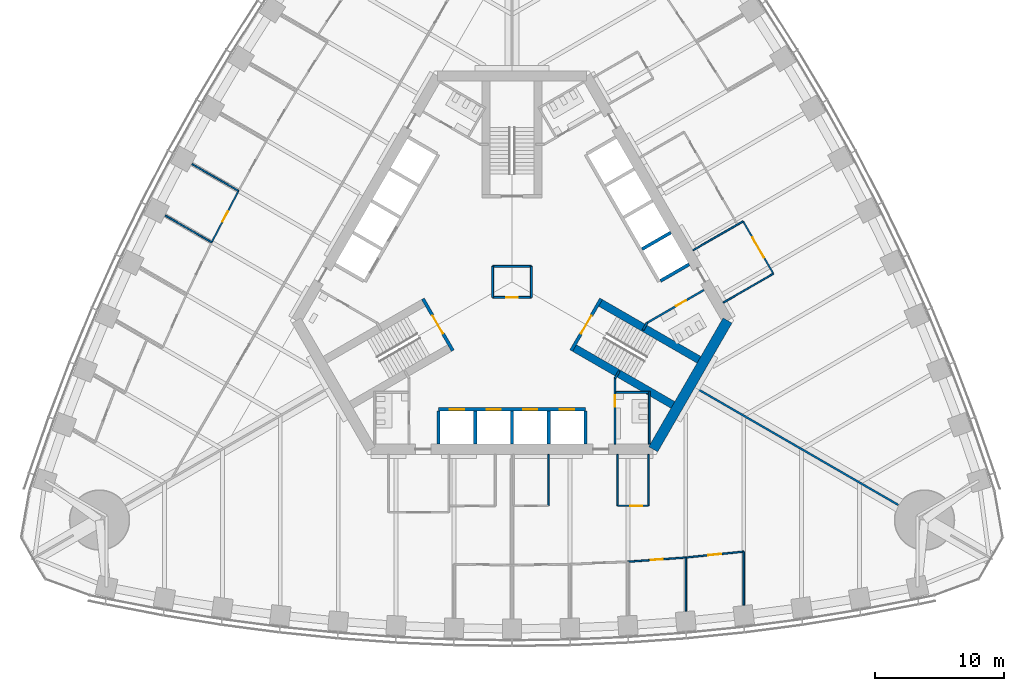
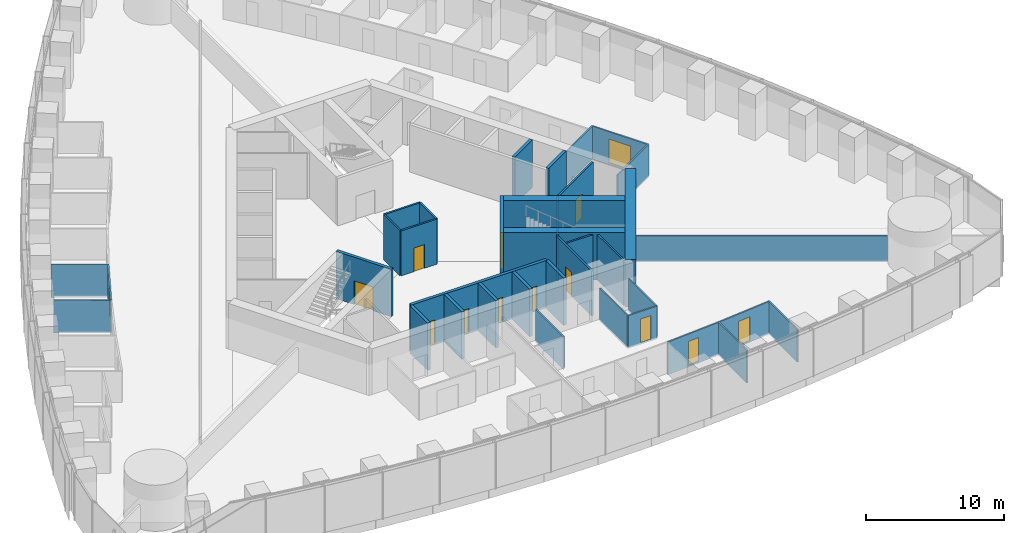
# One storey, part 11 of 18: 38 walls, 14 doors, 14 openings.
"""IFC4 building model written with IfcOpenShell, lengths in metres."""

from ifc_helpers import new_model, si_unit, direction, frame, frame_2d, origin, place, context, subcontext, project, spatial, rectangle, extrude, material, layer, layer_set, type_object, element, fill, save


model = new_model("IFC4")

# Units and contexts
model_context = context("Model", 3, precision=1e-05, world=origin(), true_north=direction((0.0, 1.0)))
body_context = subcontext(model_context, "Body", "Model", "MODEL_VIEW")
ifc_project = project(units=[si_unit("LENGTHUNIT", "METRE"), si_unit("AREAUNIT", "SQUARE_METRE"), si_unit("VOLUMEUNIT", "CUBIC_METRE"), si_unit("PLANEANGLEUNIT", "RADIAN"), si_unit("MASSUNIT", "GRAM", prefix="KILO")], contexts=[model_context])

# Site, building, storey
site_placement = place(None, origin())
site = spatial("IfcSite", under=ifc_project, at=site_placement, CompositionType="ELEMENT")
building_placement = place(site_placement, origin())
building = spatial("IfcBuilding", under=site, at=building_placement, Name="Trefoil Bronze Tower", CompositionType="ELEMENT")
storey_placement = place(building_placement, frame((0.0, 0.0, 24.89990234375)))
storey = spatial("IfcBuildingStorey", under=building, at=storey_placement, Name="L05", CompositionType="ELEMENT", Elevation=24.89990234375)

# Wall
ifc_material_1 = material(Name="Concrete B80", Category="concrete")
ifc_layer_1 = layer(ifc_material_1, 0.800048828125)
ifc_layer_set_1 = layer_set([ifc_layer_1], Name="Core wall 800")
wall_type_1 = type_object("IfcWallType", Name="Core wall 800", PredefinedType="SHEAR", material=ifc_layer_set_1)
wall_1_placement = place(storey_placement, frame((10.9697265625, -13.0, 0.0), z_axis=(0.0, 0.0, 1.0), x_axis=(0.499995765644, 0.866027848477, 0.0)))
element("IfcWall", 1, at=wall_1_placement, inside=storey, type_object=wall_type_1, Name="Core short wall 1 L05", PredefinedType="SHEAR", context=body_context, shape_type="SweptSolid", body=[
    extrude(rectangle(XDim=11.546875, YDim=0.800048828125, at=frame_2d((5.7734375, 0.0))), origin(), (0.0, 0.0, 1.0), 4.2001953125),
])

# Wall, opening, door
ifc_material_2 = material(Name="Glazed partition", Category="glass")
ifc_layer_2 = layer(ifc_material_2, 0.1201171875)
ifc_layer_set_2 = layer_set([ifc_layer_2], Name="Glazed partition 120")
wall_type_2 = type_object("IfcWallType", Name="Glazed partition 120", PredefinedType="PARTITIONING", material=ifc_layer_set_2)
wall_2_placement = place(storey_placement, frame((8.199951171875, -17.39990234375, 0.0), z_axis=(0.0, 0.0, 1.0), x_axis=(1.0, 0.0, 0.0)))
wall_2 = element("IfcWall", 2, at=wall_2_placement, inside=storey, type_object=wall_type_2, Name="Partition F1 L05", PredefinedType="PARTITIONING", context=body_context, shape_type="SweptSolid", body=[
    extrude(rectangle(XDim=2.400146484375, YDim=0.1201171875, at=frame_2d((1.2001953125, 0.0))), origin(), (0.0, 0.0, 1.0), 2.900146484375),
])
opening_1_placement = place(wall_2_placement, frame((1.0, 0.0, 0.14990234375)))
opening_1 = element("IfcOpeningElement", 3, at=opening_1_placement, cuts=wall_2, Name="Opening D8", PredefinedType="OPENING", context=body_context, shape_type="SweptSolid", body=[
    extrude(rectangle(XDim=0.89990234375, YDim=2.10009765625, at=frame_2d((0.449951171875, 1.050048828125))), frame((0.0, 0.070068359375, 0.0), z_axis=(0.0, -1.0, 0.0), x_axis=(1.0, 0.0, 0.0)), (0.0, 0.0, 1.0), 0.14013671875),
])
ifc_material_3 = material(Name="Timber door", Category="wood")
door_type_1 = type_object("IfcDoorType", Name="Office door 900", OperationType="SINGLE_SWING_LEFT", PredefinedType="DOOR", material=ifc_material_3)
door_1_placement = place(opening_1_placement, origin())
door_1 = element("IfcDoor", 4, at=door_1_placement, inside=storey, type_object=door_type_1, Name="Comms room door F1 L05", OperationType="SINGLE_SWING_RIGHT", OverallHeight=2.10009765625, OverallWidth=0.89990234375, PredefinedType="DOOR", context=body_context, shape_type="SweptSolid", body=[
    extrude(rectangle(XDim=0.89990234375, YDim=2.10009765625, at=frame_2d((0.449951171875, 1.050048828125))), frame((0.0, 0.02490234375, 0.0), z_axis=(0.0, -1.0, 0.0), x_axis=(1.0, 0.0, 0.0)), (0.0, 0.0, 1.0), 0.050048828125),
])
fill(opening_1, door_1)

# Walls
for number, where, z_axis, x_axis, name in (
    (5, (10.60009765625, -13.39990234375, 0.0), (0.0, 0.0, 1.0), (0.0, -1.0, 0.0), "Partition F1 L05"),
    (6, (2.824951171875, -13.39990234375, 0.0), (0.0, 0.0, 1.0), (0.0, -1.0, 0.0), "Partition F1 L05"),
    (7, (8.199951171875, -13.39990234375, 0.0), (0.0, 0.0, 1.0), (0.0, -1.0, 0.0), "Partition F1 L05"),
):
    element("IfcWall", number, at=place(storey_placement, frame(where, z_axis=z_axis, x_axis=x_axis)), inside=storey, type_object=wall_type_2, Name=name, PredefinedType="PARTITIONING", context=body_context, shape_type="SweptSolid", body=[
        extrude(rectangle(XDim=4.0, YDim=0.1201171875, at=frame_2d((2.0, 0.0))), origin(), (0.0, 0.0, 1.0), 2.900146484375),
    ])

# Wall, opening, door
wall_3_placement = place(storey_placement, frame((13.5, -21.409912109375, 0.0), z_axis=(0.0, 0.0, 1.0), x_axis=(0.994833141332, 0.101523499286, 0.0)))
wall_3 = element("IfcWall", 8, at=wall_3_placement, inside=storey, type_object=wall_type_2, Name="Partition F1 L05", PredefinedType="PARTITIONING", context=body_context, shape_type="SweptSolid", body=[
    extrude(rectangle(XDim=4.5234375, YDim=0.1201171875, at=frame_2d((2.26171875, 0.0))), origin(), (0.0, 0.0, 1.0), 2.900146484375),
])
opening_2_placement = place(wall_3_placement, frame((1.75, 0.0, 0.14990234375)))
opening_2 = element("IfcOpeningElement", 9, at=opening_2_placement, cuts=wall_3, Name="Opening D9", PredefinedType="OPENING", context=body_context, shape_type="SweptSolid", body=[
    extrude(rectangle(XDim=1.0, YDim=2.10009765625, at=frame_2d((0.5, 1.050048828125))), frame((0.0, 0.070068359375, 0.0), z_axis=(0.0, -1.0, 0.0), x_axis=(1.0, 0.0, 0.0)), (0.0, 0.0, 1.0), 0.14013671875),
])
ifc_material_4 = material(Name="Glazed timber door", Category="wood")
door_type_2 = type_object("IfcDoorType", Name="Meeting room door 1000", OperationType="SINGLE_SWING_LEFT", PredefinedType="DOOR", material=ifc_material_4)
door_2_placement = place(opening_2_placement, frame((1.0, 0.0, 0.0), z_axis=(0.0, 0.0, 1.0), x_axis=(-1.0, 0.0, 0.0)))
door_2 = element("IfcDoor", 10, at=door_2_placement, inside=storey, type_object=door_type_2, Name="Meeting room door F1 L05", OperationType="SINGLE_SWING_RIGHT", OverallHeight=2.10009765625, OverallWidth=1.0, PredefinedType="DOOR", context=body_context, shape_type="SweptSolid", body=[
    extrude(rectangle(XDim=1.0, YDim=2.10009765625, at=frame_2d((0.5, 1.050048828125))), frame((0.0, 0.02490234375, 0.0), z_axis=(0.0, -1.0, 0.0), x_axis=(1.0, 0.0, 0.0)), (0.0, 0.0, 1.0), 0.050048828125),
])
fill(opening_2, door_2)

wall_4_placement = place(storey_placement, frame((9.0, -21.7373046875, 0.0), z_axis=(0.0, 0.0, 1.0), x_axis=(0.997363894896, 0.072562119306, 0.0)))
wall_4 = element("IfcWall", 11, at=wall_4_placement, inside=storey, type_object=wall_type_2, Name="Partition F1 L05", PredefinedType="PARTITIONING", context=body_context, shape_type="SweptSolid", body=[
    extrude(rectangle(XDim=4.511962890625, YDim=0.1201171875, at=frame_2d((2.255859375, 0.0))), origin(), (0.0, 0.0, 1.0), 2.900146484375),
])
opening_3_placement = place(wall_4_placement, frame((1.800048828125, 0.0, 0.14990234375)))
opening_3 = element("IfcOpeningElement", 12, at=opening_3_placement, cuts=wall_4, Name="Opening D8", PredefinedType="OPENING", context=body_context, shape_type="SweptSolid", body=[
    extrude(rectangle(XDim=0.89990234375, YDim=2.10009765625, at=frame_2d((0.449951171875, 1.050048828125))), frame((0.0, 0.070068359375, 0.0), z_axis=(0.0, -1.0, 0.0), x_axis=(1.0, 0.0, 0.0)), (0.0, 0.0, 1.0), 0.14013671875),
])
door_3_placement = place(opening_3_placement, frame((0.89990234375, 0.0, 0.0), z_axis=(0.0, 0.0, 1.0), x_axis=(-1.0, 0.0, 0.0)))
door_3 = element("IfcDoor", 13, at=door_3_placement, inside=storey, type_object=door_type_1, Name="Office door F1 L05", OperationType="SINGLE_SWING_RIGHT", OverallHeight=2.10009765625, OverallWidth=0.89990234375, PredefinedType="DOOR", context=body_context, shape_type="SweptSolid", body=[
    extrude(rectangle(XDim=0.89990234375, YDim=2.10009765625, at=frame_2d((0.449951171875, 1.050048828125))), frame((0.0, 0.02490234375, 0.0), z_axis=(0.0, -1.0, 0.0), x_axis=(1.0, 0.0, 0.0)), (0.0, 0.0, 1.0), 0.050048828125),
])
fill(opening_3, door_3)

# Walls
wall_5_placement = place(storey_placement, frame((13.5, -21.409912109375, 0.0), z_axis=(0.0, 0.0, 1.0), x_axis=(0.0, -1.0, 0.0)))
element("IfcWall", 14, at=wall_5_placement, inside=storey, type_object=wall_type_2, Name="Partition F1 L05", PredefinedType="PARTITIONING", context=body_context, shape_type="SweptSolid", body=[
    extrude(rectangle(XDim=4.1640625, YDim=0.1201171875, at=frame_2d((2.08203125, 0.0))), origin(), (0.0, 0.0, 1.0), 2.900146484375),
])
wall_6_placement = place(storey_placement, frame((18.0, -20.95068359375, 0.0), z_axis=(0.0, 0.0, 1.0), x_axis=(0.0, -1.0, 0.0)))
element("IfcWall", 15, at=wall_6_placement, inside=storey, type_object=wall_type_2, Name="Partition F1 L05", PredefinedType="PARTITIONING", context=body_context, shape_type="SweptSolid", body=[
    extrude(rectangle(XDim=4.1591796875, YDim=0.1201171875, at=frame_2d((2.07958984375, 0.0))), origin(), (0.0, 0.0, 1.0), 2.900146484375),
])

# Wall, opening, door
wall_7_placement = place(storey_placement, frame((20.3017578125, 0.63623046875, 0.0), z_axis=(0.0, 0.0, 1.0), x_axis=(-0.499977259774, 0.866038532462, 0.0)))
wall_7 = element("IfcWall", 16, at=wall_7_placement, inside=storey, type_object=wall_type_2, Name="Partition F2 L05", PredefinedType="PARTITIONING", context=body_context, shape_type="SweptSolid", body=[
    extrude(rectangle(XDim=4.699951171875, YDim=0.1201171875, at=frame_2d((2.35009765625, 0.0))), origin(), (0.0, 0.0, 1.0), 2.900146484375),
])
opening_4_placement = place(wall_7_placement, frame((1.449951171875, 0.0, 0.14990234375)))
opening_4 = element("IfcOpeningElement", 17, at=opening_4_placement, cuts=wall_7, Name="Opening D10", PredefinedType="OPENING", context=body_context, shape_type="SweptSolid", body=[
    extrude(rectangle(XDim=1.800048828125, YDim=2.10009765625, at=frame_2d((0.89990234375, 1.050048828125))), frame((0.0, 0.070068359375, 0.0), z_axis=(0.0, -1.0, 0.0), x_axis=(1.0, 0.0, 0.0)), (0.0, 0.0, 1.0), 0.14013671875),
])
ifc_material_5 = material(Name="Timber door", Category="wood")
door_type_3 = type_object("IfcDoorType", Name="Double door 1800", OperationType="DOUBLE_DOOR_SINGLE_SWING", PredefinedType="DOOR", material=ifc_material_5)
door_4_placement = place(opening_4_placement, origin())
door_4 = element("IfcDoor", 18, at=door_4_placement, inside=storey, type_object=door_type_3, Name="Reception door F2 L05", OperationType="DOUBLE_DOOR_SINGLE_SWING", OverallHeight=2.10009765625, OverallWidth=1.800048828125, PredefinedType="DOOR", context=body_context, shape_type="SweptSolid", body=[
    extrude(rectangle(XDim=1.800048828125, YDim=2.10009765625, at=frame_2d((0.89990234375, 1.050048828125))), frame((0.0, 0.02490234375, 0.0), z_axis=(0.0, -1.0, 0.0), x_axis=(1.0, 0.0, 0.0)), (0.0, 0.0, 1.0), 0.050048828125),
])
fill(opening_4, door_4)

# Walls
wall_8_placement = place(storey_placement, frame((14.0546875, 2.45654296875, 0.0), z_axis=(0.0, 0.0, 1.0), x_axis=(0.866031096941, 0.499990139034, 0.0)))
element("IfcWall", 19, at=wall_8_placement, inside=storey, type_object=wall_type_2, Name="Partition F2 L05", PredefinedType="PARTITIONING", context=body_context, shape_type="SweptSolid", body=[
    extrude(rectangle(XDim=4.5, YDim=0.1201171875, at=frame_2d((2.25, 0.0))), origin(), (0.0, 0.0, 1.0), 2.900146484375),
])
wall_9_placement = place(storey_placement, frame((16.40478515625, -1.61376953125, 0.0), z_axis=(0.0, 0.0, 1.0), x_axis=(0.866017533419, 0.500013631625, 0.0)))
element("IfcWall", 20, at=wall_9_placement, inside=storey, type_object=wall_type_2, Name="Partition F2 L05", PredefinedType="PARTITIONING", context=body_context, shape_type="SweptSolid", body=[
    extrude(rectangle(XDim=4.499755859375, YDim=0.1201171875, at=frame_2d((2.25, 0.0))), origin(), (0.0, 0.0, 1.0), 2.900146484375),
])

# Wall, opening, door
wall_10_placement = place(storey_placement, frame((-21.244873046875, 7.069580078125, 0.0), z_axis=(0.0, 0.0, 1.0), x_axis=(-0.461852697957, -0.886956642339, 0.0)))
wall_10 = element("IfcWall", 21, at=wall_10_placement, inside=storey, type_object=wall_type_2, Name="Partition F3 L05", PredefinedType="PARTITIONING", context=body_context, shape_type="SweptSolid", body=[
    extrude(rectangle(XDim=4.50439453125, YDim=0.1201171875, at=frame_2d((2.252197265625, 0.0))), origin(), (0.0, 0.0, 1.0), 2.900146484375),
])
opening_5_placement = place(wall_10_placement, frame((1.800048828125, 0.0, 0.14990234375)))
opening_5 = element("IfcOpeningElement", 22, at=opening_5_placement, cuts=wall_10, Name="Opening D8", PredefinedType="OPENING", context=body_context, shape_type="SweptSolid", body=[
    extrude(rectangle(XDim=0.89990234375, YDim=2.10009765625, at=frame_2d((0.449951171875, 1.050048828125))), frame((0.0, 0.070068359375, 0.0), z_axis=(0.0, -1.0, 0.0), x_axis=(1.0, 0.0, 0.0)), (0.0, 0.0, 1.0), 0.14013671875),
])
door_5_placement = place(opening_5_placement, frame((0.89990234375, 0.0, 0.0), z_axis=(0.0, 0.0, 1.0), x_axis=(-1.0, 0.0, 0.0)))
door_5 = element("IfcDoor", 23, at=door_5_placement, inside=storey, type_object=door_type_1, Name="Office door F3 L05", OperationType="SINGLE_SWING_RIGHT", OverallHeight=2.10009765625, OverallWidth=0.89990234375, PredefinedType="DOOR", context=body_context, shape_type="SweptSolid", body=[
    extrude(rectangle(XDim=0.89990234375, YDim=2.10009765625, at=frame_2d((0.449951171875, 1.050048828125))), frame((0.0, 0.02490234375, 0.0), z_axis=(0.0, -1.0, 0.0), x_axis=(1.0, 0.0, 0.0)), (0.0, 0.0, 1.0), 0.050048828125),
])
fill(opening_5, door_5)

# Walls
wall_11_placement = place(storey_placement, frame((-21.244873046875, 7.069580078125, 0.0), z_axis=(0.0, 0.0, 1.0), x_axis=(-0.866025669538, 0.499999539701, 0.0)))
element("IfcWall", 24, at=wall_11_placement, inside=storey, type_object=wall_type_2, Name="Partition F3 L05", PredefinedType="PARTITIONING", context=body_context, shape_type="SweptSolid", body=[
    extrude(rectangle(XDim=4.16943359375, YDim=0.1201171875, at=frame_2d((2.084716796875, 0.0))), origin(), (0.0, 0.0, 1.0), 2.900146484375),
])
wall_12_placement = place(storey_placement, frame((-23.3251953125, 3.074462890625, 0.0), z_axis=(0.0, 0.0, 1.0), x_axis=(-0.866009971343, 0.50002672882, 0.0)))
element("IfcWall", 25, at=wall_12_placement, inside=storey, type_object=wall_type_2, Name="Partition F3 L05", PredefinedType="PARTITIONING", context=body_context, shape_type="SweptSolid", body=[
    extrude(rectangle(XDim=4.167236328125, YDim=0.1201171875, at=frame_2d((2.08349609375, 0.0))), origin(), (0.0, 0.0, 1.0), 2.900146484375),
])

# Wall, opening, door
ifc_material_6 = material(Name="Gypsum board on steel studs", Category="steel")
ifc_layer_3 = layer(ifc_material_6, 0.14990234375)
ifc_layer_set_3 = layer_set([ifc_layer_3], Name="Partition 150")
wall_type_3 = type_object("IfcWallType", Name="Partition 150", PredefinedType="PARTITIONING", material=ifc_layer_set_3)
wall_13_placement = place(storey_placement, frame((8.0, -7.5, 0.0), z_axis=(0.0, 0.0, 1.0), x_axis=(0.0, -1.0, 0.0)))
wall_13 = element("IfcWall", 26, at=wall_13_placement, inside=storey, type_object=wall_type_3, Name="Passage wall F1+ L05", PredefinedType="PARTITIONING", context=body_context, shape_type="SweptSolid", body=[
    extrude(rectangle(XDim=5.10009765625, YDim=0.14990234375, at=frame_2d((2.550048828125, 0.0))), origin(), (0.0, 0.0, 1.0), 4.0),
])
opening_6_placement = place(wall_13_placement, frame((1.300048828125, 0.0, 0.0)))
opening_6 = element("IfcOpeningElement", 27, at=opening_6_placement, cuts=wall_13, Name="Opening D3", PredefinedType="OPENING", context=body_context, shape_type="SweptSolid", body=[
    extrude(rectangle(XDim=0.89990234375, YDim=2.10009765625, at=frame_2d((0.449951171875, 1.050048828125))), frame((0.0, 0.0849609375, 0.0), z_axis=(0.0, -1.0, 0.0), x_axis=(1.0, 0.0, 0.0)), (0.0, 0.0, 1.0), 0.169921875),
])
ifc_material_7 = material(Name="Timber door", Category="wood")
door_type_4 = type_object("IfcDoorType", Name="WC door 900", OperationType="SINGLE_SWING_LEFT", PredefinedType="DOOR", material=ifc_material_7)
door_6_placement = place(opening_6_placement, origin())
door_6 = element("IfcDoor", 28, at=door_6_placement, inside=storey, type_object=door_type_4, Name="WC (men) door L05", OperationType="SINGLE_SWING_LEFT", OverallHeight=2.10009765625, OverallWidth=0.89990234375, PredefinedType="DOOR", context=body_context, shape_type="SweptSolid", body=[
    extrude(rectangle(XDim=0.89990234375, YDim=2.10009765625, at=frame_2d((0.449951171875, 1.050048828125))), frame((0.0, 0.02490234375, 0.0), z_axis=(0.0, -1.0, 0.0), x_axis=(1.0, 0.0, 0.0)), (0.0, 0.0, 1.0), 0.050048828125),
])
fill(opening_6, door_6)

wall_14_placement = place(storey_placement, frame((10.4951171875, -3.17822265625, 0.0), z_axis=(0.0, 0.0, 1.0), x_axis=(0.86602216432, 0.500005610874, 0.0)))
wall_14 = element("IfcWall", 29, at=wall_14_placement, inside=storey, type_object=wall_type_3, Name="Passage wall F2- L05", PredefinedType="PARTITIONING", context=body_context, shape_type="SweptSolid", body=[
    extrude(rectangle(XDim=5.10009765625, YDim=0.14990234375, at=frame_2d((2.550048828125, 0.0))), origin(), (0.0, 0.0, 1.0), 4.0),
])
opening_7_placement = place(wall_14_placement, frame((2.60009765625, 0.0, 0.0)))
opening_7 = element("IfcOpeningElement", 30, at=opening_7_placement, cuts=wall_14, Name="Opening D3", PredefinedType="OPENING", context=body_context, shape_type="SweptSolid", body=[
    extrude(rectangle(XDim=0.89990234375, YDim=2.10009765625, at=frame_2d((0.449951171875, 1.050048828125))), frame((0.0, 0.0849609375, 0.0), z_axis=(0.0, -1.0, 0.0), x_axis=(1.0, 0.0, 0.0)), (0.0, 0.0, 1.0), 0.169921875),
])
door_7_placement = place(opening_7_placement, frame((0.89990234375, 0.0, 0.0), z_axis=(0.0, 0.0, 1.0), x_axis=(-1.0, 0.0, 0.0)))
door_7 = element("IfcDoor", 31, at=door_7_placement, inside=storey, type_object=door_type_4, Name="WC (women) door L05", OperationType="SINGLE_SWING_LEFT", OverallHeight=2.10009765625, OverallWidth=0.89990234375, PredefinedType="DOOR", context=body_context, shape_type="SweptSolid", body=[
    extrude(rectangle(XDim=0.89990234375, YDim=2.10009765625, at=frame_2d((0.449951171875, 1.050048828125))), frame((0.0, 0.02490234375, 0.0), z_axis=(0.0, -1.0, 0.0), x_axis=(1.0, 0.0, 0.0)), (0.0, 0.0, 1.0), 0.050048828125),
])
fill(opening_7, door_7)

# Walls
for number, where, z_axis, x_axis, name in (
    (32, (8.0, -7.5, 0.0), (0.0, 0.0, 1.0), (0.499842556608, 0.866116284689, 0.0), "WC wall ST1-1 L05"),
    (33, (10.4951171875, -3.17822265625, 0.0), (0.0, 0.0, 1.0), (-0.499842556608, -0.866116284689, 0.0), "WC wall ST1+1 L05"),
):
    element("IfcWall", number, at=place(storey_placement, frame(where, z_axis=z_axis, x_axis=x_axis)), inside=storey, type_object=wall_type_3, Name=name, PredefinedType="PARTITIONING", context=body_context, shape_type="SweptSolid", body=[
        extrude(rectangle(XDim=0.645263671875, YDim=0.14990234375, at=frame_2d((0.32275390625, 0.0))), origin(), (0.0, 0.0, 1.0), 4.0),
    ])
wall_15_placement = place(storey_placement, frame((10.659912109375, -8.5, 0.0), z_axis=(0.0, 0.0, 1.0), x_axis=(0.0, -1.0, 0.0)))
element("IfcWall", 34, at=wall_15_placement, inside=storey, type_object=wall_type_3, Name="WC partition WC (men) L05", PredefinedType="PARTITIONING", context=body_context, shape_type="SweptSolid", body=[
    extrude(rectangle(XDim=4.10009765625, YDim=0.14990234375, at=frame_2d((2.050048828125, 0.0))), origin(), (0.0, 0.0, 1.0), 4.0),
])
wall_16_placement = place(storey_placement, frame((8.074951171875, -8.574951171875, 0.0), z_axis=(0.0, 0.0, 1.0), x_axis=(1.0, 0.0, 0.0)))
element("IfcWall", 35, at=wall_16_placement, inside=storey, type_object=wall_type_3, Name="WC partition WC (men) L05", PredefinedType="PARTITIONING", context=body_context, shape_type="SweptSolid", body=[
    extrude(rectangle(XDim=2.510009765625, YDim=0.14990234375, at=frame_2d((1.2548828125, 0.0))), origin(), (0.0, 0.0, 1.0), 4.0),
])
ifc_material_8 = material(Name="Gypsum board on steel studs", Category="steel")
ifc_layer_4 = layer(ifc_material_8, 0.14990234375)
ifc_layer_set_4 = layer_set([ifc_layer_4], Name="Party wall 150")
wall_type_4 = type_object("IfcWallType", Name="Party wall 150", PredefinedType="PARTITIONING", material=ifc_layer_set_4)
wall_17_placement = place(storey_placement, frame((14.202880859375, -8.199951171875, 0.0), z_axis=(0.0, 0.0, 1.0), x_axis=(0.866024965723, -0.500000758745, 0.0)))
element("IfcWall", 36, at=wall_17_placement, inside=storey, type_object=wall_type_4, Name="Party wall K1 L05", PredefinedType="PARTITIONING", context=body_context, shape_type="SweptSolid", body=[
    extrude(rectangle(XDim=18.25, YDim=0.14990234375, at=frame_2d((9.125, 0.0))), origin(), (0.0, 0.0, 1.0), 2.300048828125),
])

# Wall, opening, door
ifc_material_9 = material(Name="Gypsum board on steel studs", Category="steel")
ifc_layer_5 = layer(ifc_material_9, 0.14990234375)
ifc_layer_set_5 = layer_set([ifc_layer_5], Name="Riser wall 150")
wall_type_5 = type_object("IfcWallType", Name="Riser wall 150", PredefinedType="PARTITIONING", material=ifc_layer_set_5)
wall_18_placement = place(storey_placement, frame((-1.5, -1.199951171875, 0.0), z_axis=(0.0, 0.0, 1.0), x_axis=(1.0, 0.0, 0.0)))
wall_18 = element("IfcWall", 37, at=wall_18_placement, inside=storey, type_object=wall_type_5, Name="Riser wall L05", PredefinedType="PARTITIONING", context=body_context, shape_type="SweptSolid", body=[
    extrude(rectangle(XDim=3.0, YDim=0.14990234375, at=frame_2d((1.5, 0.0))), origin(), (0.0, 0.0, 1.0), 4.0),
])
opening_8_placement = place(wall_18_placement, frame((1.050048828125, 0.0, 0.0)))
opening_8 = element("IfcOpeningElement", 38, at=opening_8_placement, cuts=wall_18, Name="Opening D4", PredefinedType="OPENING", context=body_context, shape_type="SweptSolid", body=[
    extrude(rectangle(XDim=0.89990234375, YDim=2.10009765625, at=frame_2d((0.449951171875, 1.050048828125))), frame((0.0, 0.0849609375, 0.0), z_axis=(0.0, -1.0, 0.0), x_axis=(1.0, 0.0, 0.0)), (0.0, 0.0, 1.0), 0.169921875),
])
ifc_material_10 = material(Name="Steel door", Category="steel")
door_type_5 = type_object("IfcDoorType", Name="Riser door 900", OperationType="SINGLE_SWING_LEFT", PredefinedType="DOOR", material=ifc_material_10)
door_8_placement = place(opening_8_placement, frame((0.89990234375, 0.0, 0.0), z_axis=(0.0, 0.0, 1.0), x_axis=(-1.0, 0.0, 0.0)))
door_8 = element("IfcDoor", 39, at=door_8_placement, inside=storey, type_object=door_type_5, Name="Riser door L05", OperationType="SINGLE_SWING_LEFT", OverallHeight=2.10009765625, OverallWidth=0.89990234375, PredefinedType="DOOR", context=body_context, shape_type="SweptSolid", body=[
    extrude(rectangle(XDim=0.89990234375, YDim=2.10009765625, at=frame_2d((0.449951171875, 1.050048828125))), frame((0.0, 0.02490234375, 0.0), z_axis=(0.0, -1.0, 0.0), x_axis=(1.0, 0.0, 0.0)), (0.0, 0.0, 1.0), 0.050048828125),
])
fill(opening_8, door_8)

# Walls
wall_19_placement = place(storey_placement, frame((1.5, -1.199951171875, 0.0), z_axis=(0.0, 0.0, 1.0), x_axis=(0.0, 1.0, 0.0)))
element("IfcWall", 40, at=wall_19_placement, inside=storey, type_object=wall_type_5, Name="Riser wall L05", PredefinedType="PARTITIONING", context=body_context, shape_type="SweptSolid", body=[
    extrude(rectangle(XDim=2.39990234375, YDim=0.14990234375, at=frame_2d((1.199951171875, 0.0))), origin(), (0.0, 0.0, 1.0), 4.0),
])
wall_20_placement = place(storey_placement, frame((1.5, 1.199951171875, 0.0), z_axis=(0.0, 0.0, 1.0), x_axis=(-1.0, 0.0, 0.0)))
element("IfcWall", 41, at=wall_20_placement, inside=storey, type_object=wall_type_5, Name="Riser wall L05", PredefinedType="PARTITIONING", context=body_context, shape_type="SweptSolid", body=[
    extrude(rectangle(XDim=3.0, YDim=0.14990234375, at=frame_2d((1.5, 0.0))), origin(), (0.0, 0.0, 1.0), 4.0),
])
wall_21_placement = place(storey_placement, frame((-1.5, 1.199951171875, 0.0), z_axis=(0.0, 0.0, 1.0), x_axis=(0.0, -1.0, 0.0)))
element("IfcWall", 42, at=wall_21_placement, inside=storey, type_object=wall_type_5, Name="Riser wall L05", PredefinedType="PARTITIONING", context=body_context, shape_type="SweptSolid", body=[
    extrude(rectangle(XDim=2.39990234375, YDim=0.14990234375, at=frame_2d((1.199951171875, 0.0))), origin(), (0.0, 0.0, 1.0), 4.0),
])

# Wall, openings, doors
ifc_material_11 = material(Name="Concrete B80", Category="concrete")
ifc_layer_6 = layer(ifc_material_11, 0.25)
ifc_layer_set_6 = layer_set([ifc_layer_6], Name="Shaft wall 250")
wall_type_6 = type_object("IfcWallType", Name="Shaft wall 250", PredefinedType="SHEAR", material=ifc_layer_set_6)
wall_22_placement = place(storey_placement, frame((-5.699951171875, -9.89990234375, 0.0), z_axis=(0.0, 0.0, 1.0), x_axis=(1.0, 0.0, 0.0)))
wall_22 = element("IfcWall", 43, at=wall_22_placement, inside=storey, type_object=wall_type_6, Name="Lift shaft front wall A L05", PredefinedType="SHEAR", context=body_context, shape_type="SweptSolid", body=[
    extrude(rectangle(XDim=11.39990234375, YDim=0.25, at=frame_2d((5.699951171875, 0.0))), origin(), (0.0, 0.0, 1.0), 4.2001953125),
])
opening_9_placement = place(wall_22_placement, frame((0.875, 0.0, 0.0)))
opening_9 = element("IfcOpeningElement", 44, at=opening_9_placement, cuts=wall_22, Name="Opening LD-P11", PredefinedType="OPENING", context=body_context, shape_type="SweptSolid", body=[
    extrude(rectangle(XDim=1.10009765625, YDim=2.199951171875, at=frame_2d((0.550048828125, 1.10009765625))), frame((0.0, 0.135009765625, 0.0), z_axis=(0.0, -1.0, 0.0), x_axis=(1.0, 0.0, 0.0)), (0.0, 0.0, 1.0), 0.27001953125),
])
opening_10_placement = place(wall_22_placement, frame((3.72509765625, 0.0, 0.0)))
opening_10 = element("IfcOpeningElement", 45, at=opening_10_placement, cuts=wall_22, Name="Opening LD-P12", PredefinedType="OPENING", context=body_context, shape_type="SweptSolid", body=[
    extrude(rectangle(XDim=1.10009765625, YDim=2.199951171875, at=frame_2d((0.550048828125, 1.10009765625))), frame((0.0, 0.135009765625, 0.0), z_axis=(0.0, -1.0, 0.0), x_axis=(1.0, 0.0, 0.0)), (0.0, 0.0, 1.0), 0.27001953125),
])
opening_11_placement = place(wall_22_placement, frame((6.574951171875, 0.0, 0.0)))
opening_11 = element("IfcOpeningElement", 46, at=opening_11_placement, cuts=wall_22, Name="Opening LD-P13", PredefinedType="OPENING", context=body_context, shape_type="SweptSolid", body=[
    extrude(rectangle(XDim=1.10009765625, YDim=2.199951171875, at=frame_2d((0.550048828125, 1.10009765625))), frame((0.0, 0.135009765625, 0.0), z_axis=(0.0, -1.0, 0.0), x_axis=(1.0, 0.0, 0.0)), (0.0, 0.0, 1.0), 0.27001953125),
])
opening_12_placement = place(wall_22_placement, frame((9.425048828125, 0.0, 0.0)))
opening_12 = element("IfcOpeningElement", 47, at=opening_12_placement, cuts=wall_22, Name="Opening LD-P14", PredefinedType="OPENING", context=body_context, shape_type="SweptSolid", body=[
    extrude(rectangle(XDim=1.10009765625, YDim=2.199951171875, at=frame_2d((0.550048828125, 1.10009765625))), frame((0.0, 0.135009765625, 0.0), z_axis=(0.0, -1.0, 0.0), x_axis=(1.0, 0.0, 0.0)), (0.0, 0.0, 1.0), 0.27001953125),
])
ifc_material_12 = material(Name="Steel door", Category="steel")
door_type_6 = type_object("IfcDoorType", Name="Lift landing door 1100", OperationType="DOUBLE_DOOR_SLIDING", PredefinedType="DOOR", material=ifc_material_12)
door_9_placement = place(opening_9_placement, origin())
door_9 = element("IfcDoor", 48, at=door_9_placement, inside=storey, type_object=door_type_6, Name="Lift P11 landing door L05", OperationType="DOUBLE_DOOR_SLIDING", OverallHeight=2.199951171875, OverallWidth=1.10009765625, PredefinedType="DOOR", context=body_context, shape_type="SweptSolid", body=[
    extrude(rectangle(XDim=1.10009765625, YDim=2.199951171875, at=frame_2d((0.550048828125, 1.10009765625))), frame((0.0, 0.02490234375, 0.0), z_axis=(0.0, -1.0, 0.0), x_axis=(1.0, 0.0, 0.0)), (0.0, 0.0, 1.0), 0.050048828125),
])
fill(opening_9, door_9)
door_10_placement = place(opening_10_placement, origin())
door_10 = element("IfcDoor", 49, at=door_10_placement, inside=storey, type_object=door_type_6, Name="Lift P12 landing door L05", OperationType="DOUBLE_DOOR_SLIDING", OverallHeight=2.199951171875, OverallWidth=1.10009765625, PredefinedType="DOOR", context=body_context, shape_type="SweptSolid", body=[
    extrude(rectangle(XDim=1.10009765625, YDim=2.199951171875, at=frame_2d((0.550048828125, 1.10009765625))), frame((0.0, 0.02490234375, 0.0), z_axis=(0.0, -1.0, 0.0), x_axis=(1.0, 0.0, 0.0)), (0.0, 0.0, 1.0), 0.050048828125),
])
fill(opening_10, door_10)
door_11_placement = place(opening_11_placement, origin())
door_11 = element("IfcDoor", 50, at=door_11_placement, inside=storey, type_object=door_type_6, Name="Lift P13 landing door L05", OperationType="DOUBLE_DOOR_SLIDING", OverallHeight=2.199951171875, OverallWidth=1.10009765625, PredefinedType="DOOR", context=body_context, shape_type="SweptSolid", body=[
    extrude(rectangle(XDim=1.10009765625, YDim=2.199951171875, at=frame_2d((0.550048828125, 1.10009765625))), frame((0.0, 0.02490234375, 0.0), z_axis=(0.0, -1.0, 0.0), x_axis=(1.0, 0.0, 0.0)), (0.0, 0.0, 1.0), 0.050048828125),
])
fill(opening_11, door_11)
door_12_placement = place(opening_12_placement, origin())
door_12 = element("IfcDoor", 51, at=door_12_placement, inside=storey, type_object=door_type_6, Name="Lift P14 landing door L05", OperationType="DOUBLE_DOOR_SLIDING", OverallHeight=2.199951171875, OverallWidth=1.10009765625, PredefinedType="DOOR", context=body_context, shape_type="SweptSolid", body=[
    extrude(rectangle(XDim=1.10009765625, YDim=2.199951171875, at=frame_2d((0.550048828125, 1.10009765625))), frame((0.0, 0.02490234375, 0.0), z_axis=(0.0, -1.0, 0.0), x_axis=(1.0, 0.0, 0.0)), (0.0, 0.0, 1.0), 0.050048828125),
])
fill(opening_12, door_12)

# Walls
for number, where, z_axis, x_axis, name in (
    (52, (-5.699951171875, -10.02490234375, 0.0), (0.0, 0.0, 1.0), (0.0, -1.0, 0.0), "Lift shaft side wall A0 L05"),
    (53, (-2.85009765625, -10.02490234375, 0.0), (0.0, 0.0, 1.0), (0.0, -1.0, 0.0), "Lift shaft side wall A1 L05"),
    (54, (0.0, -10.02490234375, 0.0), (0.0, 0.0, 1.0), (0.0, -1.0, 0.0), "Lift shaft side wall A2 L05"),
    (55, (2.85009765625, -10.02490234375, 0.0), (0.0, 0.0, 1.0), (0.0, -1.0, 0.0), "Lift shaft side wall A3 L05"),
    (56, (5.699951171875, -10.02490234375, 0.0), (0.0, 0.0, 1.0), (0.0, -1.0, 0.0), "Lift shaft side wall A4 L05"),
):
    element("IfcWall", number, at=place(storey_placement, frame(where, z_axis=z_axis, x_axis=x_axis)), inside=storey, type_object=wall_type_6, Name=name, PredefinedType="SHEAR", context=body_context, shape_type="SweptSolid", body=[
        extrude(rectangle(XDim=2.5751953125, YDim=0.25, at=frame_2d((1.28759765625, 0.0))), origin(), (0.0, 0.0, 1.0), 4.2001953125),
    ])
for number, where, z_axis, x_axis, name in (
    (57, (11.531982421875, 0.076171875, 0.0), (0.0, 0.0, 1.0), (0.866005588531, 0.500034319456, 0.0), "Lift shaft side wall B0 L05"),
    (58, (10.10693359375, 2.54443359375, 0.0), (0.0, 0.0, 1.0), (0.866046643894, 0.499963209246, 0.0), "Lift shaft side wall B1 L05"),
):
    element("IfcWall", number, at=place(storey_placement, frame(where, z_axis=z_axis, x_axis=x_axis)), inside=storey, type_object=wall_type_6, Name=name, PredefinedType="SHEAR", context=body_context, shape_type="SweptSolid", body=[
        extrude(rectangle(XDim=2.574951171875, YDim=0.25, at=frame_2d((1.28759765625, 0.0))), origin(), (0.0, 0.0, 1.0), 4.2001953125),
    ])

# Wall, opening, door
wall_23_placement = place(storey_placement, frame((4.5966796875, -5.338623046875, 0.0), z_axis=(0.0, 0.0, 1.0), x_axis=(0.499984536904, 0.866034331223, 0.0)))
wall_23 = element("IfcWall", 59, at=wall_23_placement, inside=storey, type_object=wall_type_6, Name="Stair end wall ST1 L05", PredefinedType="SHEAR", context=body_context, shape_type="SweptSolid", body=[
    extrude(rectangle(XDim=4.650146484375, YDim=0.25, at=frame_2d((2.3251953125, 0.0))), origin(), (0.0, 0.0, 1.0), 4.2001953125),
])
opening_13_placement = place(wall_23_placement, frame((1.52490234375, 0.0, 0.0)))
opening_13 = element("IfcOpeningElement", 60, at=opening_13_placement, cuts=wall_23, Name="Opening D1", PredefinedType="OPENING", context=body_context, shape_type="SweptSolid", body=[
    extrude(rectangle(XDim=1.60009765625, YDim=2.10009765625, at=frame_2d((0.800048828125, 1.050048828125))), frame((0.0, 0.135009765625, 0.0), z_axis=(0.0, -1.0, 0.0), x_axis=(1.0, 0.0, 0.0)), (0.0, 0.0, 1.0), 0.27001953125),
])
ifc_material_13 = material(Name="Steel door", Category="steel")
door_type_7 = type_object("IfcDoorType", Name="Stair door 1600", OperationType="DOUBLE_DOOR_SINGLE_SWING", PredefinedType="DOOR", material=ifc_material_13)
door_13_placement = place(opening_13_placement, frame((1.60009765625, 0.0, 0.0), z_axis=(0.0, 0.0, 1.0), x_axis=(-1.0, 0.0, 0.0)))
door_13 = element("IfcDoor", 61, at=door_13_placement, inside=storey, type_object=door_type_7, Name="Stair door ST1 L05", OperationType="DOUBLE_DOOR_SINGLE_SWING", OverallHeight=2.10009765625, OverallWidth=1.60009765625, PredefinedType="DOOR", context=body_context, shape_type="SweptSolid", body=[
    extrude(rectangle(XDim=1.60009765625, YDim=2.10009765625, at=frame_2d((0.800048828125, 1.050048828125))), frame((0.0, 0.02490234375, 0.0), z_axis=(0.0, -1.0, 0.0), x_axis=(1.0, 0.0, 0.0)), (0.0, 0.0, 1.0), 0.050048828125),
])
fill(opening_13, door_13)

wall_24_placement = place(storey_placement, frame((-6.921630859375, -1.3115234375, 0.0), z_axis=(0.0, 0.0, 1.0), x_axis=(0.499984536904, -0.866034331223, 0.0)))
wall_24 = element("IfcWall", 62, at=wall_24_placement, inside=storey, type_object=wall_type_6, Name="Stair end wall ST3 L05", PredefinedType="SHEAR", context=body_context, shape_type="SweptSolid", body=[
    extrude(rectangle(XDim=4.650146484375, YDim=0.25, at=frame_2d((2.3251953125, 0.0))), origin(), (0.0, 0.0, 1.0), 4.2001953125),
])
opening_14_placement = place(wall_24_placement, frame((1.52490234375, 0.0, 0.0)))
opening_14 = element("IfcOpeningElement", 63, at=opening_14_placement, cuts=wall_24, Name="Opening D1", PredefinedType="OPENING", context=body_context, shape_type="SweptSolid", body=[
    extrude(rectangle(XDim=1.60009765625, YDim=2.10009765625, at=frame_2d((0.800048828125, 1.050048828125))), frame((0.0, 0.135009765625, 0.0), z_axis=(0.0, -1.0, 0.0), x_axis=(1.0, 0.0, 0.0)), (0.0, 0.0, 1.0), 0.27001953125),
])
door_14_placement = place(opening_14_placement, frame((1.60009765625, 0.0, 0.0), z_axis=(0.0, 0.0, 1.0), x_axis=(-1.0, 0.0, 0.0)))
door_14 = element("IfcDoor", 64, at=door_14_placement, inside=storey, type_object=door_type_7, Name="Stair door ST3 L05", OperationType="DOUBLE_DOOR_SINGLE_SWING", OverallHeight=2.10009765625, OverallWidth=1.60009765625, PredefinedType="DOOR", context=body_context, shape_type="SweptSolid", body=[
    extrude(rectangle(XDim=1.60009765625, YDim=2.10009765625, at=frame_2d((0.800048828125, 1.050048828125))), frame((0.0, 0.02490234375, 0.0), z_axis=(0.0, -1.0, 0.0), x_axis=(1.0, 0.0, 0.0)), (0.0, 0.0, 1.0), 0.050048828125),
])
fill(opening_14, door_14)

# Walls
ifc_material_14 = material(Name="Concrete B80", Category="concrete")
ifc_layer_7 = layer(ifc_material_14, 0.60009765625)
ifc_layer_set_7 = layer_set([ifc_layer_7], Name="Stair wall 600")
wall_type_7 = type_object("IfcWallType", Name="Stair wall 600", PredefinedType="SHEAR", material=ifc_layer_set_7)
for number, where, z_axis, x_axis, name in (
    (65, (4.638427734375, -5.01611328125, 0.0), (0.0, 0.0, 1.0), (0.866019375473, -0.500010441196, 0.0), "Stair wall ST1 L05"),
    (66, (6.663330078125, -1.5087890625, 0.0), (0.0, 0.0, 1.0), (0.866019375473, -0.500010441196, 0.0), "Stair wall ST1 L05"),
):
    element("IfcWall", number, at=place(storey_placement, frame(where, z_axis=z_axis, x_axis=x_axis)), inside=storey, type_object=wall_type_7, Name=name, PredefinedType="SHEAR", context=body_context, shape_type="SweptSolid", body=[
        extrude(rectangle(XDim=9.074951171875, YDim=0.60009765625, at=frame_2d((4.53759765625, 0.0))), origin(), (0.0, 0.0, 1.0), 4.2001953125),
    ])

save(model, "model.ifc")
